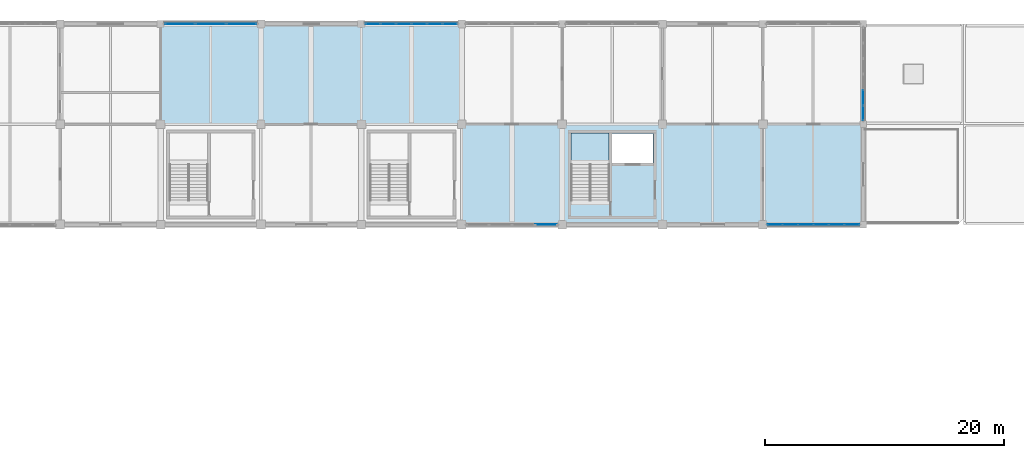
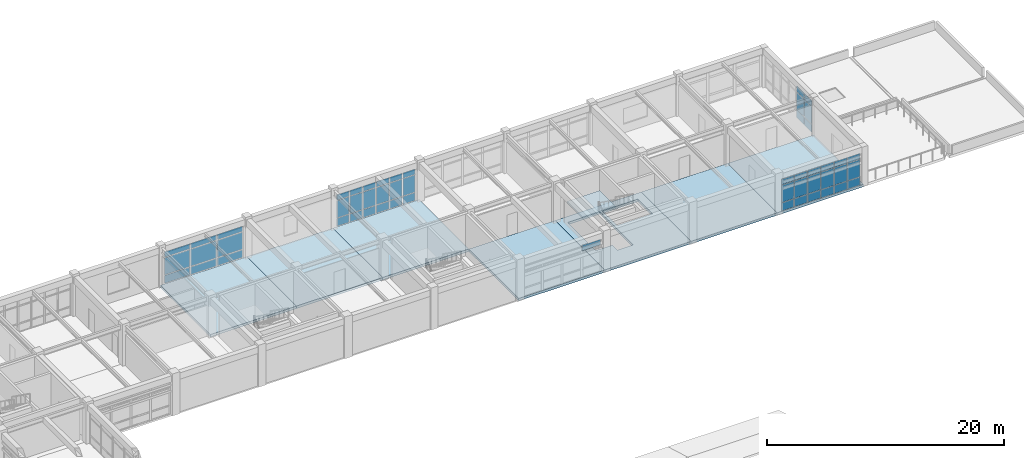
# One storey, part 27 of 40: 52 plates, 8 slabs, 6 elements without a shape of their own.
"""IFC4 building model written with IfcOpenShell, lengths in metres."""

from ifc_helpers import new_model, si_unit, direction, frame, origin, origin_2d, place, context, subcontext, project, spatial, polyline, rectangle, outline, extrude, material, layer, layer_set, type_object, element, aggregate, save


model = new_model("IFC4")

# Units and contexts
model_context = context("Model", 3, precision=1e-05, world=origin(), true_north=direction((0.0, 1.0)))
body_context = subcontext(model_context, "Body", "Model", "MODEL_VIEW")
ifc_project = project(units=[si_unit("LENGTHUNIT", "METRE"), si_unit("AREAUNIT", "SQUARE_METRE"), si_unit("VOLUMEUNIT", "CUBIC_METRE"), si_unit("PLANEANGLEUNIT", "RADIAN"), si_unit("MASSUNIT", "GRAM", prefix="KILO")], contexts=[model_context])

# Site, building, storey
site_placement = place(None, origin())
site = spatial("IfcSite", under=ifc_project, at=site_placement, CompositionType="ELEMENT")
building_placement = place(site_placement, origin())
building = spatial("IfcBuilding", under=site, at=building_placement, Name="Porcellanite Civic Hall", CompositionType="ELEMENT")
storey_placement = place(building_placement, frame((0.0, 0.0, 19.080078125)))
storey = spatial("IfcBuildingStorey", under=building, at=storey_placement, Name="L04", CompositionType="ELEMENT", Elevation=19.080078125)

# Curtain wall, plates
ifc_material_1 = material(Name="Anodised aluminium and solar laminated glass", Category="aluminium")
ifc_layer_1 = layer(ifc_material_1, 0.179931640625)
ifc_layer_set_1 = layer_set([ifc_layer_1], Name="Anodised aluminium and solar laminated glass")
curtain_wall_type_1 = type_object("IfcCurtainWallType", Name="CW-SYS08", PredefinedType="NOTDEFINED", material=ifc_layer_set_1)
curtain_wall_1_placement = place(storey_placement, origin())
curtain_wall_1 = element("IfcCurtainWall", 1, at=curtain_wall_1_placement, inside=storey, type_object=curtain_wall_type_1, Name="Curtain wall CW-250", PredefinedType="NOTDEFINED")
ifc_material_2 = material(Name="Cyclone laminated solar-control low-E glass", Category="glass")
ifc_layer_2 = layer(ifc_material_2, 0.02392578125)
ifc_layer_set_2 = layer_set([ifc_layer_2], Name="Cyclone laminated solar-control low-E glass")
plate_type_1 = type_object("IfcPlateType", Name="CWP-01", PredefinedType="CURTAIN_PANEL", material=ifc_layer_set_2)
plate_1_placement = place(storey_placement, frame((77.216552734375, 117.60009765625, 0.070068359375), z_axis=(0.0, 0.0, 1.0), x_axis=(1.0, 0.0, 0.0)))
plate_1 = element("IfcPlate", 2, at=plate_1_placement, type_object=plate_type_1, Name="CW-250 panel 1.1", PredefinedType="CURTAIN_PANEL", context=body_context, shape_type="SweptSolid", body=[
    extrude(rectangle(XDim=2.470947265625, YDim=0.02392578125, at=origin_2d()), origin(), (0.0, 0.0, 1.0), 0.794921875),
])
plate_2_placement = place(storey_placement, frame((77.216552734375, 117.60009765625, 0.934814453125), z_axis=(0.0, 0.0, 1.0), x_axis=(1.0, 0.0, 0.0)))
plate_2 = element("IfcPlate", 3, at=plate_2_placement, type_object=plate_type_1, Name="CW-250 panel 1.2", PredefinedType="CURTAIN_PANEL", context=body_context, shape_type="SweptSolid", body=[
    extrude(rectangle(XDim=2.470947265625, YDim=0.02392578125, at=origin_2d()), origin(), (0.0, 0.0, 1.0), 1.75),
])
plate_3_placement = place(storey_placement, frame((77.216552734375, 117.60009765625, 2.7548828125), z_axis=(0.0, 0.0, 1.0), x_axis=(1.0, 0.0, 0.0)))
plate_3 = element("IfcPlate", 4, at=plate_3_placement, type_object=plate_type_1, Name="CW-250 panel 1.3", PredefinedType="CURTAIN_PANEL", context=body_context, shape_type="SweptSolid", body=[
    extrude(rectangle(XDim=2.470947265625, YDim=0.02392578125, at=origin_2d()), origin(), (0.0, 0.0, 1.0), 0.544921875),
])
plate_4_placement = place(storey_placement, frame((79.78759765625, 117.60009765625, 0.070068359375), z_axis=(0.0, 0.0, 1.0), x_axis=(1.0, 0.0, 0.0)))
plate_4 = element("IfcPlate", 5, at=plate_4_placement, type_object=plate_type_1, Name="CW-250 panel 2.1", PredefinedType="CURTAIN_PANEL", context=body_context, shape_type="SweptSolid", body=[
    extrude(rectangle(XDim=2.510986328125, YDim=0.02392578125, at=origin_2d()), origin(), (0.0, 0.0, 1.0), 0.794921875),
])
plate_5_placement = place(storey_placement, frame((79.78759765625, 117.60009765625, 0.934814453125), z_axis=(0.0, 0.0, 1.0), x_axis=(1.0, 0.0, 0.0)))
plate_5 = element("IfcPlate", 6, at=plate_5_placement, type_object=plate_type_1, Name="CW-250 panel 2.2", PredefinedType="CURTAIN_PANEL", context=body_context, shape_type="SweptSolid", body=[
    extrude(rectangle(XDim=2.510986328125, YDim=0.02392578125, at=origin_2d()), origin(), (0.0, 0.0, 1.0), 1.75),
])
plate_6_placement = place(storey_placement, frame((79.78759765625, 117.60009765625, 2.7548828125), z_axis=(0.0, 0.0, 1.0), x_axis=(1.0, 0.0, 0.0)))
plate_6 = element("IfcPlate", 7, at=plate_6_placement, type_object=plate_type_1, Name="CW-250 panel 2.3", PredefinedType="CURTAIN_PANEL", context=body_context, shape_type="SweptSolid", body=[
    extrude(rectangle(XDim=2.510986328125, YDim=0.02392578125, at=origin_2d()), origin(), (0.0, 0.0, 1.0), 0.544921875),
])
plate_7_placement = place(storey_placement, frame((82.3583984375, 117.60009765625, 0.070068359375), z_axis=(0.0, 0.0, 1.0), x_axis=(1.0, 0.0, 0.0)))
plate_7 = element("IfcPlate", 8, at=plate_7_placement, type_object=plate_type_1, Name="CW-250 panel 3.1", PredefinedType="CURTAIN_PANEL", context=body_context, shape_type="SweptSolid", body=[
    extrude(rectangle(XDim=2.470947265625, YDim=0.02392578125, at=origin_2d()), origin(), (0.0, 0.0, 1.0), 0.794921875),
])
plate_8_placement = place(storey_placement, frame((82.3583984375, 117.60009765625, 0.934814453125), z_axis=(0.0, 0.0, 1.0), x_axis=(1.0, 0.0, 0.0)))
plate_8 = element("IfcPlate", 9, at=plate_8_placement, type_object=plate_type_1, Name="CW-250 panel 3.2", PredefinedType="CURTAIN_PANEL", context=body_context, shape_type="SweptSolid", body=[
    extrude(rectangle(XDim=2.470947265625, YDim=0.02392578125, at=origin_2d()), origin(), (0.0, 0.0, 1.0), 1.75),
])
plate_9_placement = place(storey_placement, frame((82.3583984375, 117.60009765625, 2.7548828125), z_axis=(0.0, 0.0, 1.0), x_axis=(1.0, 0.0, 0.0)))
plate_9 = element("IfcPlate", 10, at=plate_9_placement, type_object=plate_type_1, Name="CW-250 panel 3.3", PredefinedType="CURTAIN_PANEL", context=body_context, shape_type="SweptSolid", body=[
    extrude(rectangle(XDim=2.470947265625, YDim=0.02392578125, at=origin_2d()), origin(), (0.0, 0.0, 1.0), 0.544921875),
])
aggregate(curtain_wall_1, [plate_1, plate_2, plate_3, plate_4, plate_5, plate_6, plate_7, plate_8, plate_9])

ifc_material_3 = material(Name="Anodised aluminium and solar laminated glass", Category="aluminium")
ifc_layer_3 = layer(ifc_material_3, 0.179931640625)
ifc_layer_set_3 = layer_set([ifc_layer_3], Name="Anodised aluminium and solar laminated glass")
curtain_wall_type_2 = type_object("IfcCurtainWallType", Name="CW-SYS01", PredefinedType="NOTDEFINED", material=ifc_layer_set_3)
curtain_wall_2_placement = place(storey_placement, origin())
curtain_wall_2 = element("IfcCurtainWall", 11, at=curtain_wall_2_placement, inside=storey, type_object=curtain_wall_type_2, Name="Curtain wall CW-251", PredefinedType="NOTDEFINED")
ifc_material_4 = material(Name="Cyclone laminated solar-control low-E glass", Category="glass")
ifc_layer_4 = layer(ifc_material_4, 0.02587890625)
ifc_layer_set_4 = layer_set([ifc_layer_4], Name="Cyclone laminated solar-control low-E glass")
plate_type_2 = type_object("IfcPlateType", Name="CWP-02", PredefinedType="CURTAIN_PANEL", material=ifc_layer_set_4)
plate_10_placement = place(storey_placement, frame((93.3662109375, 117.60009765625, 0.059814453125), z_axis=(0.0, 0.0, 1.0), x_axis=(1.0, 0.0, 0.0)))
plate_10 = element("IfcPlate", 12, at=plate_10_placement, type_object=plate_type_2, Name="CW-251 panel 1.1", PredefinedType="CURTAIN_PANEL", context=body_context, shape_type="SweptSolid", body=[
    extrude(rectangle(XDim=1.1904296875, YDim=0.02587890625, at=origin_2d()), origin(), (0.0, 0.0, 1.0), 0.81005859375),
])
plate_11_placement = place(storey_placement, frame((93.3662109375, 117.60009765625, 0.9296875), z_axis=(0.0, 0.0, 1.0), x_axis=(1.0, 0.0, 0.0)))
plate_11 = element("IfcPlate", 13, at=plate_11_placement, type_object=plate_type_2, Name="CW-251 panel 1.2", PredefinedType="CURTAIN_PANEL", context=body_context, shape_type="SweptSolid", body=[
    extrude(rectangle(XDim=1.1904296875, YDim=0.02587890625, at=origin_2d()), origin(), (0.0, 0.0, 1.0), 1.760009765625),
])
plate_12_placement = place(storey_placement, frame((93.3662109375, 117.60009765625, 2.75), z_axis=(0.0, 0.0, 1.0), x_axis=(1.0, 0.0, 0.0)))
plate_12 = element("IfcPlate", 14, at=plate_12_placement, type_object=plate_type_2, Name="CW-251 panel 1.3", PredefinedType="CURTAIN_PANEL", context=body_context, shape_type="SweptSolid", body=[
    extrude(rectangle(XDim=1.1904296875, YDim=0.02587890625, at=origin_2d()), origin(), (0.0, 0.0, 1.0), 0.56005859375),
])
plate_13_placement = place(storey_placement, frame((94.644287109375, 117.60009765625, 0.059814453125), z_axis=(0.0, 0.0, 1.0), x_axis=(1.0, 0.0, 0.0)))
plate_13 = element("IfcPlate", 15, at=plate_13_placement, type_object=plate_type_2, Name="CW-251 panel 2.1", PredefinedType="CURTAIN_PANEL", context=body_context, shape_type="SweptSolid", body=[
    extrude(rectangle(XDim=1.2255859375, YDim=0.02587890625, at=origin_2d()), origin(), (0.0, 0.0, 1.0), 0.81005859375),
])
plate_14_placement = place(storey_placement, frame((94.644287109375, 117.60009765625, 0.9296875), z_axis=(0.0, 0.0, 1.0), x_axis=(1.0, 0.0, 0.0)))
plate_14 = element("IfcPlate", 16, at=plate_14_placement, type_object=plate_type_2, Name="CW-251 panel 2.2", PredefinedType="CURTAIN_PANEL", context=body_context, shape_type="SweptSolid", body=[
    extrude(rectangle(XDim=1.2255859375, YDim=0.02587890625, at=origin_2d()), origin(), (0.0, 0.0, 1.0), 1.760009765625),
])
plate_15_placement = place(storey_placement, frame((94.644287109375, 117.60009765625, 2.75), z_axis=(0.0, 0.0, 1.0), x_axis=(1.0, 0.0, 0.0)))
plate_15 = element("IfcPlate", 17, at=plate_15_placement, type_object=plate_type_2, Name="CW-251 panel 2.3", PredefinedType="CURTAIN_PANEL", context=body_context, shape_type="SweptSolid", body=[
    extrude(rectangle(XDim=1.2255859375, YDim=0.02587890625, at=origin_2d()), origin(), (0.0, 0.0, 1.0), 0.56005859375),
])
plate_16_placement = place(storey_placement, frame((95.939697265625, 117.60009765625, 0.059814453125), z_axis=(0.0, 0.0, 1.0), x_axis=(1.0, 0.0, 0.0)))
plate_16 = element("IfcPlate", 18, at=plate_16_placement, type_object=plate_type_2, Name="CW-251 panel 3.1", PredefinedType="CURTAIN_PANEL", context=body_context, shape_type="SweptSolid", body=[
    extrude(rectangle(XDim=1.2255859375, YDim=0.02587890625, at=origin_2d()), origin(), (0.0, 0.0, 1.0), 0.81005859375),
])
plate_17_placement = place(storey_placement, frame((95.939697265625, 117.60009765625, 0.9296875), z_axis=(0.0, 0.0, 1.0), x_axis=(1.0, 0.0, 0.0)))
plate_17 = element("IfcPlate", 19, at=plate_17_placement, type_object=plate_type_2, Name="CW-251 panel 3.2", PredefinedType="CURTAIN_PANEL", context=body_context, shape_type="SweptSolid", body=[
    extrude(rectangle(XDim=1.2255859375, YDim=0.02587890625, at=origin_2d()), origin(), (0.0, 0.0, 1.0), 1.760009765625),
])
plate_18_placement = place(storey_placement, frame((95.939697265625, 117.60009765625, 2.75), z_axis=(0.0, 0.0, 1.0), x_axis=(1.0, 0.0, 0.0)))
plate_18 = element("IfcPlate", 20, at=plate_18_placement, type_object=plate_type_2, Name="CW-251 panel 3.3", PredefinedType="CURTAIN_PANEL", context=body_context, shape_type="SweptSolid", body=[
    extrude(rectangle(XDim=1.2255859375, YDim=0.02587890625, at=origin_2d()), origin(), (0.0, 0.0, 1.0), 0.56005859375),
])
plate_19_placement = place(storey_placement, frame((97.2353515625, 117.60009765625, 0.059814453125), z_axis=(0.0, 0.0, 1.0), x_axis=(1.0, 0.0, 0.0)))
plate_19 = element("IfcPlate", 21, at=plate_19_placement, type_object=plate_type_2, Name="CW-251 panel 4.1", PredefinedType="CURTAIN_PANEL", context=body_context, shape_type="SweptSolid", body=[
    extrude(rectangle(XDim=1.2255859375, YDim=0.02587890625, at=origin_2d()), origin(), (0.0, 0.0, 1.0), 0.81005859375),
])
plate_20_placement = place(storey_placement, frame((97.2353515625, 117.60009765625, 0.9296875), z_axis=(0.0, 0.0, 1.0), x_axis=(1.0, 0.0, 0.0)))
plate_20 = element("IfcPlate", 22, at=plate_20_placement, type_object=plate_type_2, Name="CW-251 panel 4.2", PredefinedType="CURTAIN_PANEL", context=body_context, shape_type="SweptSolid", body=[
    extrude(rectangle(XDim=1.2255859375, YDim=0.02587890625, at=origin_2d()), origin(), (0.0, 0.0, 1.0), 1.760009765625),
])
plate_21_placement = place(storey_placement, frame((97.2353515625, 117.60009765625, 2.75), z_axis=(0.0, 0.0, 1.0), x_axis=(1.0, 0.0, 0.0)))
plate_21 = element("IfcPlate", 23, at=plate_21_placement, type_object=plate_type_2, Name="CW-251 panel 4.3", PredefinedType="CURTAIN_PANEL", context=body_context, shape_type="SweptSolid", body=[
    extrude(rectangle(XDim=1.2255859375, YDim=0.02587890625, at=origin_2d()), origin(), (0.0, 0.0, 1.0), 0.56005859375),
])
plate_22_placement = place(storey_placement, frame((98.53076171875, 117.60009765625, 0.059814453125), z_axis=(0.0, 0.0, 1.0), x_axis=(1.0, 0.0, 0.0)))
plate_22 = element("IfcPlate", 24, at=plate_22_placement, type_object=plate_type_2, Name="CW-251 panel 5.1", PredefinedType="CURTAIN_PANEL", context=body_context, shape_type="SweptSolid", body=[
    extrude(rectangle(XDim=1.2255859375, YDim=0.02587890625, at=origin_2d()), origin(), (0.0, 0.0, 1.0), 0.81005859375),
])
plate_23_placement = place(storey_placement, frame((98.53076171875, 117.60009765625, 0.9296875), z_axis=(0.0, 0.0, 1.0), x_axis=(1.0, 0.0, 0.0)))
plate_23 = element("IfcPlate", 25, at=plate_23_placement, type_object=plate_type_2, Name="CW-251 panel 5.2", PredefinedType="CURTAIN_PANEL", context=body_context, shape_type="SweptSolid", body=[
    extrude(rectangle(XDim=1.2255859375, YDim=0.02587890625, at=origin_2d()), origin(), (0.0, 0.0, 1.0), 1.760009765625),
])
plate_24_placement = place(storey_placement, frame((98.53076171875, 117.60009765625, 2.75), z_axis=(0.0, 0.0, 1.0), x_axis=(1.0, 0.0, 0.0)))
plate_24 = element("IfcPlate", 26, at=plate_24_placement, type_object=plate_type_2, Name="CW-251 panel 5.3", PredefinedType="CURTAIN_PANEL", context=body_context, shape_type="SweptSolid", body=[
    extrude(rectangle(XDim=1.2255859375, YDim=0.02587890625, at=origin_2d()), origin(), (0.0, 0.0, 1.0), 0.56005859375),
])
plate_25_placement = place(storey_placement, frame((99.808837890625, 117.60009765625, 0.059814453125), z_axis=(0.0, 0.0, 1.0), x_axis=(1.0, 0.0, 0.0)))
plate_25 = element("IfcPlate", 27, at=plate_25_placement, type_object=plate_type_2, Name="CW-251 panel 6.1", PredefinedType="CURTAIN_PANEL", context=body_context, shape_type="SweptSolid", body=[
    extrude(rectangle(XDim=1.1904296875, YDim=0.02587890625, at=origin_2d()), origin(), (0.0, 0.0, 1.0), 0.81005859375),
])
plate_26_placement = place(storey_placement, frame((99.808837890625, 117.60009765625, 0.9296875), z_axis=(0.0, 0.0, 1.0), x_axis=(1.0, 0.0, 0.0)))
plate_26 = element("IfcPlate", 28, at=plate_26_placement, type_object=plate_type_2, Name="CW-251 panel 6.2", PredefinedType="CURTAIN_PANEL", context=body_context, shape_type="SweptSolid", body=[
    extrude(rectangle(XDim=1.1904296875, YDim=0.02587890625, at=origin_2d()), origin(), (0.0, 0.0, 1.0), 1.760009765625),
])
plate_27_placement = place(storey_placement, frame((99.808837890625, 117.60009765625, 2.75), z_axis=(0.0, 0.0, 1.0), x_axis=(1.0, 0.0, 0.0)))
plate_27 = element("IfcPlate", 29, at=plate_27_placement, type_object=plate_type_2, Name="CW-251 panel 6.3", PredefinedType="CURTAIN_PANEL", context=body_context, shape_type="SweptSolid", body=[
    extrude(rectangle(XDim=1.1904296875, YDim=0.02587890625, at=origin_2d()), origin(), (0.0, 0.0, 1.0), 0.56005859375),
])
aggregate(curtain_wall_2, [plate_10, plate_11, plate_12, plate_13, plate_14, plate_15, plate_16, plate_17, plate_18, plate_19, plate_20, plate_21, plate_22, plate_23, plate_24, plate_25, plate_26, plate_27])

# Curtain wall, plate
ifc_material_5 = material(Name="Anodised aluminium and solar laminated glass", Category="aluminium")
ifc_layer_5 = layer(ifc_material_5, 0.179931640625)
ifc_layer_set_5 = layer_set([ifc_layer_5], Name="Anodised aluminium and solar laminated glass")
curtain_wall_type_3 = type_object("IfcCurtainWallType", Name="CW-SYS03", PredefinedType="NOTDEFINED", material=ifc_layer_set_5)
curtain_wall_3_placement = place(storey_placement, origin())
curtain_wall_3 = element("IfcCurtainWall", 30, at=curtain_wall_3_placement, inside=storey, type_object=curtain_wall_type_3, Name="Curtain wall CW-252", PredefinedType="NOTDEFINED")
ifc_material_6 = material(Name="Cyclone laminated solar-control low-E glass", Category="glass")
ifc_layer_6 = layer(ifc_material_6, 0.028076171875)
ifc_layer_set_6 = layer_set([ifc_layer_6], Name="Cyclone laminated solar-control low-E glass")
plate_type_3 = type_object("IfcPlateType", Name="CWP-03", PredefinedType="CURTAIN_PANEL", material=ifc_layer_set_6)
plate_28_placement = place(storey_placement, frame((107.869873046875, 100.800048828125, 2.74755859375), z_axis=(0.0, 0.0, 1.0), x_axis=(-1.0, 0.0, 0.0)))
plate_28 = element("IfcPlate", 31, at=plate_28_placement, type_object=plate_type_3, Name="CW-252 panel 1.3", PredefinedType="CURTAIN_PANEL", context=body_context, shape_type="SweptSolid", body=[
    extrude(rectangle(XDim=1.79833984375, YDim=0.028076171875, at=origin_2d()), origin(), (0.0, 0.0, 1.0), 0.5673828125),
])
aggregate(curtain_wall_3, [plate_28])

# Curtain wall, plates
ifc_material_7 = material(Name="Anodised aluminium and solar laminated glass", Category="aluminium")
ifc_layer_7 = layer(ifc_material_7, 0.179931640625)
ifc_layer_set_7 = layer_set([ifc_layer_7], Name="Anodised aluminium and solar laminated glass")
curtain_wall_type_4 = type_object("IfcCurtainWallType", Name="CW-SYS07", PredefinedType="NOTDEFINED", material=ifc_layer_set_7)
curtain_wall_4_placement = place(storey_placement, origin())
curtain_wall_4 = element("IfcCurtainWall", 32, at=curtain_wall_4_placement, inside=storey, type_object=curtain_wall_type_4, Name="Curtain wall CW-255", PredefinedType="NOTDEFINED")
ifc_material_8 = material(Name="Cyclone laminated solar-control low-E glass", Category="glass")
ifc_layer_8 = layer(ifc_material_8, 0.033935546875)
ifc_layer_set_8 = layer_set([ifc_layer_8], Name="Cyclone laminated solar-control low-E glass")
plate_type_4 = type_object("IfcPlateType", Name="CWP-06", PredefinedType="CURTAIN_PANEL", material=ifc_layer_set_8)
plate_29_placement = place(storey_placement, frame((133.461181640625, 100.800048828125, 0.0498046875), z_axis=(0.0, 0.0, 1.0), x_axis=(-1.0, 0.0, 0.0)))
plate_29 = element("IfcPlate", 33, at=plate_29_placement, type_object=plate_type_4, Name="CW-255 panel 1.1", PredefinedType="CURTAIN_PANEL", context=body_context, shape_type="SweptSolid", body=[
    extrude(rectangle(XDim=1.20556640625, YDim=0.033935546875, at=origin_2d()), origin(), (0.0, 0.0, 1.0), 0.824951171875),
])
plate_30_placement = place(storey_placement, frame((133.461181640625, 100.800048828125, 0.9248046875), z_axis=(0.0, 0.0, 1.0), x_axis=(-1.0, 0.0, 0.0)))
plate_30 = element("IfcPlate", 34, at=plate_30_placement, type_object=plate_type_4, Name="CW-255 panel 1.2", PredefinedType="CURTAIN_PANEL", context=body_context, shape_type="SweptSolid", body=[
    extrude(rectangle(XDim=1.20556640625, YDim=0.033935546875, at=origin_2d()), origin(), (0.0, 0.0, 1.0), 1.77001953125),
])
plate_31_placement = place(storey_placement, frame((133.461181640625, 100.800048828125, 2.7451171875), z_axis=(0.0, 0.0, 1.0), x_axis=(-1.0, 0.0, 0.0)))
plate_31 = element("IfcPlate", 35, at=plate_31_placement, type_object=plate_type_4, Name="CW-255 panel 1.3", PredefinedType="CURTAIN_PANEL", context=body_context, shape_type="SweptSolid", body=[
    extrude(rectangle(XDim=1.20556640625, YDim=0.033935546875, at=origin_2d()), origin(), (0.0, 0.0, 1.0), 0.574951171875),
])
plate_32_placement = place(storey_placement, frame((132.1806640625, 100.800048828125, 0.0498046875), z_axis=(0.0, 0.0, 1.0), x_axis=(-1.0, 0.0, 0.0)))
plate_32 = element("IfcPlate", 36, at=plate_32_placement, type_object=plate_type_4, Name="CW-255 panel 2.1", PredefinedType="CURTAIN_PANEL", context=body_context, shape_type="SweptSolid", body=[
    extrude(rectangle(XDim=1.235595703125, YDim=0.033935546875, at=origin_2d()), origin(), (0.0, 0.0, 1.0), 0.824951171875),
])
plate_33_placement = place(storey_placement, frame((132.1806640625, 100.800048828125, 0.9248046875), z_axis=(0.0, 0.0, 1.0), x_axis=(-1.0, 0.0, 0.0)))
plate_33 = element("IfcPlate", 37, at=plate_33_placement, type_object=plate_type_4, Name="CW-255 panel 2.2", PredefinedType="CURTAIN_PANEL", context=body_context, shape_type="SweptSolid", body=[
    extrude(rectangle(XDim=1.235595703125, YDim=0.033935546875, at=origin_2d()), origin(), (0.0, 0.0, 1.0), 1.77001953125),
])
plate_34_placement = place(storey_placement, frame((132.1806640625, 100.800048828125, 2.7451171875), z_axis=(0.0, 0.0, 1.0), x_axis=(-1.0, 0.0, 0.0)))
plate_34 = element("IfcPlate", 38, at=plate_34_placement, type_object=plate_type_4, Name="CW-255 panel 2.3", PredefinedType="CURTAIN_PANEL", context=body_context, shape_type="SweptSolid", body=[
    extrude(rectangle(XDim=1.235595703125, YDim=0.033935546875, at=origin_2d()), origin(), (0.0, 0.0, 1.0), 0.574951171875),
])
plate_35_placement = place(storey_placement, frame((130.88525390625, 100.800048828125, 0.0498046875), z_axis=(0.0, 0.0, 1.0), x_axis=(-1.0, 0.0, 0.0)))
plate_35 = element("IfcPlate", 39, at=plate_35_placement, type_object=plate_type_4, Name="CW-255 panel 3.1", PredefinedType="CURTAIN_PANEL", context=body_context, shape_type="SweptSolid", body=[
    extrude(rectangle(XDim=1.235595703125, YDim=0.033935546875, at=origin_2d()), origin(), (0.0, 0.0, 1.0), 0.824951171875),
])
plate_36_placement = place(storey_placement, frame((130.88525390625, 100.800048828125, 0.9248046875), z_axis=(0.0, 0.0, 1.0), x_axis=(-1.0, 0.0, 0.0)))
plate_36 = element("IfcPlate", 40, at=plate_36_placement, type_object=plate_type_4, Name="CW-255 panel 3.2", PredefinedType="CURTAIN_PANEL", context=body_context, shape_type="SweptSolid", body=[
    extrude(rectangle(XDim=1.235595703125, YDim=0.033935546875, at=origin_2d()), origin(), (0.0, 0.0, 1.0), 1.77001953125),
])
plate_37_placement = place(storey_placement, frame((130.88525390625, 100.800048828125, 2.7451171875), z_axis=(0.0, 0.0, 1.0), x_axis=(-1.0, 0.0, 0.0)))
plate_37 = element("IfcPlate", 41, at=plate_37_placement, type_object=plate_type_4, Name="CW-255 panel 3.3", PredefinedType="CURTAIN_PANEL", context=body_context, shape_type="SweptSolid", body=[
    extrude(rectangle(XDim=1.235595703125, YDim=0.033935546875, at=origin_2d()), origin(), (0.0, 0.0, 1.0), 0.574951171875),
])
plate_38_placement = place(storey_placement, frame((129.58984375, 100.800048828125, 0.0498046875), z_axis=(0.0, 0.0, 1.0), x_axis=(-1.0, 0.0, 0.0)))
plate_38 = element("IfcPlate", 42, at=plate_38_placement, type_object=plate_type_4, Name="CW-255 panel 4.1", PredefinedType="CURTAIN_PANEL", context=body_context, shape_type="SweptSolid", body=[
    extrude(rectangle(XDim=1.235595703125, YDim=0.033935546875, at=origin_2d()), origin(), (0.0, 0.0, 1.0), 0.824951171875),
])
plate_39_placement = place(storey_placement, frame((129.58984375, 100.800048828125, 0.9248046875), z_axis=(0.0, 0.0, 1.0), x_axis=(-1.0, 0.0, 0.0)))
plate_39 = element("IfcPlate", 43, at=plate_39_placement, type_object=plate_type_4, Name="CW-255 panel 4.2", PredefinedType="CURTAIN_PANEL", context=body_context, shape_type="SweptSolid", body=[
    extrude(rectangle(XDim=1.235595703125, YDim=0.033935546875, at=origin_2d()), origin(), (0.0, 0.0, 1.0), 1.77001953125),
])
plate_40_placement = place(storey_placement, frame((129.58984375, 100.800048828125, 2.7451171875), z_axis=(0.0, 0.0, 1.0), x_axis=(-1.0, 0.0, 0.0)))
plate_40 = element("IfcPlate", 44, at=plate_40_placement, type_object=plate_type_4, Name="CW-255 panel 4.3", PredefinedType="CURTAIN_PANEL", context=body_context, shape_type="SweptSolid", body=[
    extrude(rectangle(XDim=1.235595703125, YDim=0.033935546875, at=origin_2d()), origin(), (0.0, 0.0, 1.0), 0.574951171875),
])
plate_41_placement = place(storey_placement, frame((128.294189453125, 100.800048828125, 0.0498046875), z_axis=(0.0, 0.0, 1.0), x_axis=(-1.0, 0.0, 0.0)))
plate_41 = element("IfcPlate", 45, at=plate_41_placement, type_object=plate_type_4, Name="CW-255 panel 5.1", PredefinedType="CURTAIN_PANEL", context=body_context, shape_type="SweptSolid", body=[
    extrude(rectangle(XDim=1.235595703125, YDim=0.033935546875, at=origin_2d()), origin(), (0.0, 0.0, 1.0), 0.824951171875),
])
plate_42_placement = place(storey_placement, frame((128.294189453125, 100.800048828125, 0.9248046875), z_axis=(0.0, 0.0, 1.0), x_axis=(-1.0, 0.0, 0.0)))
plate_42 = element("IfcPlate", 46, at=plate_42_placement, type_object=plate_type_4, Name="CW-255 panel 5.2", PredefinedType="CURTAIN_PANEL", context=body_context, shape_type="SweptSolid", body=[
    extrude(rectangle(XDim=1.235595703125, YDim=0.033935546875, at=origin_2d()), origin(), (0.0, 0.0, 1.0), 1.77001953125),
])
plate_43_placement = place(storey_placement, frame((128.294189453125, 100.800048828125, 2.7451171875), z_axis=(0.0, 0.0, 1.0), x_axis=(-1.0, 0.0, 0.0)))
plate_43 = element("IfcPlate", 47, at=plate_43_placement, type_object=plate_type_4, Name="CW-255 panel 5.3", PredefinedType="CURTAIN_PANEL", context=body_context, shape_type="SweptSolid", body=[
    extrude(rectangle(XDim=1.235595703125, YDim=0.033935546875, at=origin_2d()), origin(), (0.0, 0.0, 1.0), 0.574951171875),
])
plate_44_placement = place(storey_placement, frame((127.013671875, 100.800048828125, 0.0498046875), z_axis=(0.0, 0.0, 1.0), x_axis=(-1.0, 0.0, 0.0)))
plate_44 = element("IfcPlate", 48, at=plate_44_placement, type_object=plate_type_4, Name="CW-255 panel 6.1", PredefinedType="CURTAIN_PANEL", context=body_context, shape_type="SweptSolid", body=[
    extrude(rectangle(XDim=1.20556640625, YDim=0.033935546875, at=origin_2d()), origin(), (0.0, 0.0, 1.0), 0.824951171875),
])
plate_45_placement = place(storey_placement, frame((127.013671875, 100.800048828125, 0.9248046875), z_axis=(0.0, 0.0, 1.0), x_axis=(-1.0, 0.0, 0.0)))
plate_45 = element("IfcPlate", 49, at=plate_45_placement, type_object=plate_type_4, Name="CW-255 panel 6.2", PredefinedType="CURTAIN_PANEL", context=body_context, shape_type="SweptSolid", body=[
    extrude(rectangle(XDim=1.20556640625, YDim=0.033935546875, at=origin_2d()), origin(), (0.0, 0.0, 1.0), 1.77001953125),
])
plate_46_placement = place(storey_placement, frame((127.013671875, 100.800048828125, 2.7451171875), z_axis=(0.0, 0.0, 1.0), x_axis=(-1.0, 0.0, 0.0)))
plate_46 = element("IfcPlate", 50, at=plate_46_placement, type_object=plate_type_4, Name="CW-255 panel 6.3", PredefinedType="CURTAIN_PANEL", context=body_context, shape_type="SweptSolid", body=[
    extrude(rectangle(XDim=1.20556640625, YDim=0.033935546875, at=origin_2d()), origin(), (0.0, 0.0, 1.0), 0.574951171875),
])
aggregate(curtain_wall_4, [plate_29, plate_30, plate_31, plate_32, plate_33, plate_34, plate_35, plate_36, plate_37, plate_38, plate_39, plate_40, plate_41, plate_42, plate_43, plate_44, plate_45, plate_46])

curtain_wall_5_placement = place(storey_placement, origin())
curtain_wall_5 = element("IfcCurtainWall", 51, at=curtain_wall_5_placement, inside=storey, type_object=curtain_wall_type_2, Name="Curtain wall CW-257", PredefinedType="NOTDEFINED")
ifc_material_9 = material(Name="Insulated ochre aluminium spandrel panel", Category="aluminium")
ifc_layer_9 = layer(ifc_material_9, 0.0380859375)
ifc_layer_set_9 = layer_set([ifc_layer_9], Name="Insulated ochre aluminium spandrel panel")
plate_type_5 = type_object("IfcPlateType", Name="CWP-08", PredefinedType="CURTAIN_PANEL", material=ifc_layer_set_9)
plate_47_placement = place(storey_placement, frame((134.39990234375, 111.43798828125, 0.059814453125), z_axis=(0.0, 0.0, 1.0), x_axis=(0.0, -1.0, 0.0)))
plate_47 = element("IfcPlate", 52, at=plate_47_placement, type_object=plate_type_5, Name="CW-257 panel 5.1", PredefinedType="CURTAIN_PANEL", context=body_context, shape_type="SweptSolid", body=[
    extrude(rectangle(XDim=1.238037109375, YDim=0.0380859375, at=origin_2d()), origin(), (0.0, 0.0, 1.0), 0.81005859375),
])
plate_48_placement = place(storey_placement, frame((134.39990234375, 111.43798828125, 0.9296875), z_axis=(0.0, 0.0, 1.0), x_axis=(0.0, -1.0, 0.0)))
plate_48 = element("IfcPlate", 53, at=plate_48_placement, type_object=plate_type_5, Name="CW-257 panel 5.2", PredefinedType="CURTAIN_PANEL", context=body_context, shape_type="SweptSolid", body=[
    extrude(rectangle(XDim=1.238037109375, YDim=0.0380859375, at=origin_2d()), origin(), (0.0, 0.0, 1.0), 1.760009765625),
])
plate_49_placement = place(storey_placement, frame((134.39990234375, 111.43798828125, 2.75), z_axis=(0.0, 0.0, 1.0), x_axis=(0.0, -1.0, 0.0)))
plate_49 = element("IfcPlate", 54, at=plate_49_placement, type_object=plate_type_5, Name="CW-257 panel 5.3", PredefinedType="CURTAIN_PANEL", context=body_context, shape_type="SweptSolid", body=[
    extrude(rectangle(XDim=1.238037109375, YDim=0.0380859375, at=origin_2d()), origin(), (0.0, 0.0, 1.0), 0.56005859375),
])
plate_50_placement = place(storey_placement, frame((134.39990234375, 110.1474609375, 0.059814453125), z_axis=(0.0, 0.0, 1.0), x_axis=(0.0, -1.0, 0.0)))
plate_50 = element("IfcPlate", 55, at=plate_50_placement, type_object=plate_type_5, Name="CW-257 panel 6.1", PredefinedType="CURTAIN_PANEL", context=body_context, shape_type="SweptSolid", body=[
    extrude(rectangle(XDim=1.202880859375, YDim=0.0380859375, at=origin_2d()), origin(), (0.0, 0.0, 1.0), 0.81005859375),
])
plate_51_placement = place(storey_placement, frame((134.39990234375, 110.1474609375, 0.9296875), z_axis=(0.0, 0.0, 1.0), x_axis=(0.0, -1.0, 0.0)))
plate_51 = element("IfcPlate", 56, at=plate_51_placement, type_object=plate_type_5, Name="CW-257 panel 6.2", PredefinedType="CURTAIN_PANEL", context=body_context, shape_type="SweptSolid", body=[
    extrude(rectangle(XDim=1.202880859375, YDim=0.0380859375, at=origin_2d()), origin(), (0.0, 0.0, 1.0), 1.760009765625),
])
plate_52_placement = place(storey_placement, frame((134.39990234375, 110.1474609375, 2.75), z_axis=(0.0, 0.0, 1.0), x_axis=(0.0, -1.0, 0.0)))
plate_52 = element("IfcPlate", 57, at=plate_52_placement, type_object=plate_type_5, Name="CW-257 panel 6.3", PredefinedType="CURTAIN_PANEL", context=body_context, shape_type="SweptSolid", body=[
    extrude(rectangle(XDim=1.202880859375, YDim=0.0380859375, at=origin_2d()), origin(), (0.0, 0.0, 1.0), 0.56005859375),
])
aggregate(curtain_wall_5, [plate_47, plate_48, plate_49, plate_50, plate_51, plate_52])

# Stair, slab
ifc_material_10 = material(Name="Concrete N40 (40 MPa)", Category="concrete")
stair_type = type_object("IfcStairType", Name="STR-HT24", PredefinedType="HALF_TURN_STAIR", material=ifc_material_10)
stair_placement = place(storey_placement, origin())
stair = element("IfcStair", 58, at=stair_placement, inside=storey, type_object=stair_type, Name="Fire stair ST-04 L04", PredefinedType="HALF_TURN_STAIR")
ifc_material_11 = material(Name="Concrete N40 (40 MPa)", Category="concrete")
ifc_layer_10 = layer(ifc_material_11, 0.179931640625)
ifc_layer_set_10 = layer_set([ifc_layer_10], Name="Concrete N40 (40 MPa)")
slab_type_1 = type_object("IfcSlabType", Name="LND-18", PredefinedType="LANDING", material=ifc_layer_set_10)
slab_1_placement = place(storey_placement, frame((0.0, 0.0, 1.97998046875)))
slab_1 = element("IfcSlab", 59, at=slab_1_placement, type_object=slab_type_1, Name="ST-04 landing 1", PredefinedType="LANDING", context=body_context, shape_type="SweptSolid", body=[
    extrude(outline(polyline([(109.9404296875, 105.824951171875), (113.119384765625, 105.824951171875), (113.119384765625, 108.45947265625), (109.9404296875, 108.45947265625), (109.9404296875, 105.824951171875)])), origin(), (0.0, 0.0, 1.0), 0.179931640625),
])
aggregate(stair, [slab_1])

# Slabs
ifc_material_12 = material(Name="Concrete N40 (40 MPa)", Category="concrete")
ifc_layer_11 = layer(ifc_material_12, 0.25)
ifc_layer_set_11 = layer_set([ifc_layer_11], Name="Concrete N40 (40 MPa)")
slab_type_2 = type_object("IfcSlabType", Name="SL-FL250", PredefinedType="FLOOR", material=ifc_layer_set_11)
slab_2_placement = place(storey_placement, frame((0.0, 0.0, -0.25)))
element("IfcSlab", 60, at=slab_2_placement, inside=storey, type_object=slab_type_2, Name="Slab L04 bay 10-14", PredefinedType="FLOOR", context=body_context, shape_type="SweptSolid", body=[
    extrude(outline(polyline([(75.60009765625, 109.199951171875), (84.0, 109.199951171875), (84.0, 117.60009765625), (75.60009765625, 117.60009765625), (75.60009765625, 109.199951171875)])), origin(), (0.0, 0.0, 1.0), 0.25),
])
slab_3_placement = place(storey_placement, frame((0.0, 0.0, -0.25)))
element("IfcSlab", 61, at=slab_3_placement, inside=storey, type_object=slab_type_2, Name="Slab L04 bay 11-14", PredefinedType="FLOOR", context=body_context, shape_type="SweptSolid", body=[
    extrude(outline(polyline([(84.0, 109.199951171875), (92.39990234375, 109.199951171875), (92.39990234375, 117.60009765625), (84.0, 117.60009765625), (84.0, 109.199951171875)])), origin(), (0.0, 0.0, 1.0), 0.25),
])
slab_4_placement = place(storey_placement, frame((0.0, 0.0, -0.25)))
element("IfcSlab", 62, at=slab_4_placement, inside=storey, type_object=slab_type_2, Name="Slab L04 bay 12-14", PredefinedType="FLOOR", context=body_context, shape_type="SweptSolid", body=[
    extrude(outline(polyline([(92.39990234375, 109.199951171875), (100.800048828125, 109.199951171875), (100.800048828125, 117.60009765625), (92.39990234375, 117.60009765625), (92.39990234375, 109.199951171875)])), origin(), (0.0, 0.0, 1.0), 0.25),
])
slab_5_placement = place(storey_placement, frame((0.0, 0.0, -0.25)))
element("IfcSlab", 63, at=slab_5_placement, inside=storey, type_object=slab_type_2, Name="Slab L04 bay 13-13", PredefinedType="FLOOR", context=body_context, shape_type="SweptSolid", body=[
    extrude(outline(polyline([(100.800048828125, 100.800048828125), (109.199951171875, 100.800048828125), (109.199951171875, 109.199951171875), (100.800048828125, 109.199951171875), (100.800048828125, 100.800048828125)])), origin(), (0.0, 0.0, 1.0), 0.25),
])
slab_6_placement = place(storey_placement, frame((0.0, 0.0, -0.25)))
element("IfcSlab", 64, at=slab_6_placement, inside=storey, type_object=slab_type_2, Name="Slab L04 bay 14-13", PredefinedType="FLOOR", context=body_context, shape_type="SweptSolid", body=[
    extrude(outline(polyline([(109.199951171875, 100.800048828125), (117.60009765625, 100.800048828125), (117.60009765625, 109.199951171875), (109.199951171875, 109.199951171875), (109.199951171875, 100.800048828125)]), holes=[polyline([(109.97998046875, 103.64990234375), (111.56005859375, 103.64990234375), (111.56005859375, 102.800048828125), (113.1201171875, 102.800048828125), (113.1201171875, 108.419921875), (109.97998046875, 108.419921875), (109.97998046875, 103.64990234375)]), polyline([(113.360107421875, 105.93994140625), (116.820068359375, 105.93994140625), (116.820068359375, 108.419921875), (113.360107421875, 108.419921875), (113.360107421875, 105.93994140625)])]), origin(), (0.0, 0.0, 1.0), 0.25),
])
slab_7_placement = place(storey_placement, frame((0.0, 0.0, -0.25)))
element("IfcSlab", 65, at=slab_7_placement, inside=storey, type_object=slab_type_2, Name="Slab L04 bay 15-13", PredefinedType="FLOOR", context=body_context, shape_type="SweptSolid", body=[
    extrude(outline(polyline([(117.60009765625, 100.800048828125), (126.0, 100.800048828125), (126.0, 109.199951171875), (117.60009765625, 109.199951171875), (117.60009765625, 100.800048828125)])), origin(), (0.0, 0.0, 1.0), 0.25),
])
slab_8_placement = place(storey_placement, frame((0.0, 0.0, -0.25)))
element("IfcSlab", 66, at=slab_8_placement, inside=storey, type_object=slab_type_2, Name="Slab L04 bay 16-13", PredefinedType="FLOOR", context=body_context, shape_type="SweptSolid", body=[
    extrude(outline(polyline([(126.0, 100.800048828125), (134.39990234375, 100.800048828125), (134.39990234375, 109.199951171875), (126.0, 109.199951171875), (126.0, 100.800048828125)])), origin(), (0.0, 0.0, 1.0), 0.25),
])

save(model, "model.ifc")
